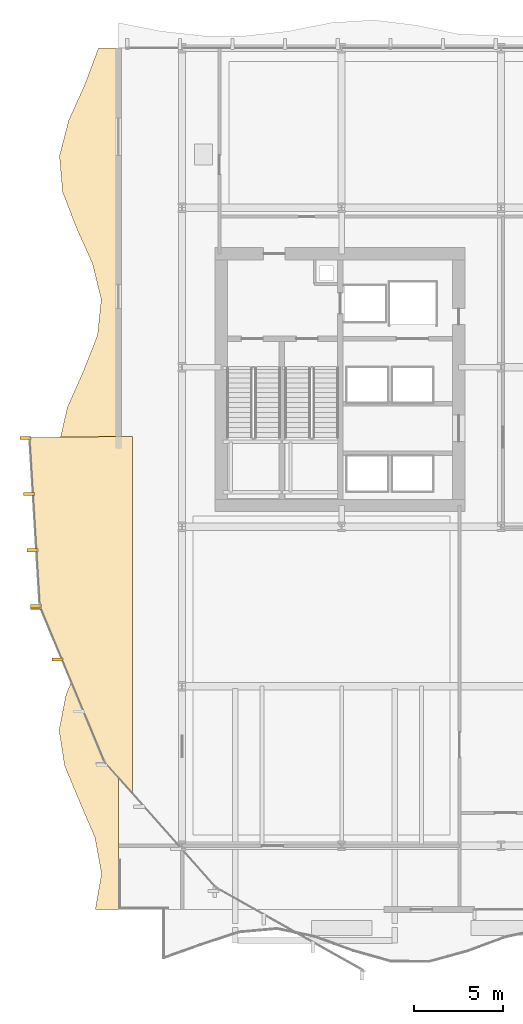
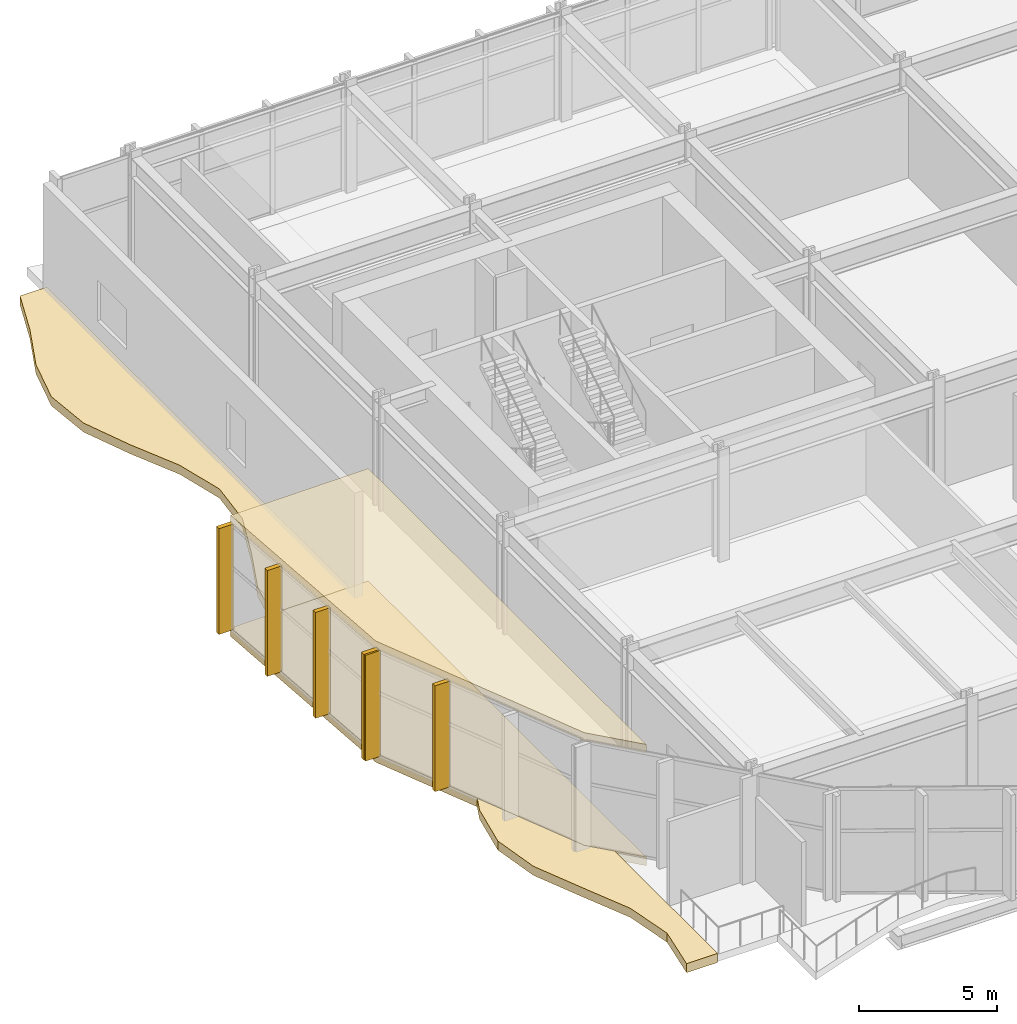
# One storey, part 23 of 28: 9 coverings.
"""IFC4 building model written with IfcOpenShell, lengths in metres."""

import ifcopenshell
import ifcopenshell.guid

model = None  # the IFC model being written
_history = None  # IfcOwnerHistory: only IFC2X3 demands one
_inside = {}  # id of a spatial element -> (the spatial element, [elements in it])
_under = {}  # id of a project, library or spatial element -> (it, [spatial elements below it])
_declared = {}  # id of a project -> (the project, [libraries it declares])
_typed = {}  # id of a type object -> (the type object, [elements of that type])
_made_of = {}  # id of a material, layer set ... -> (it, [elements and type objects made of it])


def new_model(schema):
    """Start an empty IFC model of exactly this schema.

    Asked for "IFC4X3", IfcOpenShell would pick the latest addendum, in which some entities
    have other attributes; the version numbers below select the first issue.
    IFC2X3 requires an IfcOwnerHistory on every rooted entity: one is made here for all.
    """
    global model, _history
    if schema == "IFC4X3":
        model = ifcopenshell.file(schema_version=(4, 3, 0, 0))
    else:
        model = ifcopenshell.file(schema=schema)
    _inside.clear()
    _under.clear()
    _declared.clear()
    _typed.clear()
    _made_of.clear()
    _history = None
    if model.schema == "IFC2X3":
        org = make("IfcOrganization", Name="unknown")
        user = make(
            "IfcPersonAndOrganization",
            ThePerson=make("IfcPerson", FamilyName="unknown"),
            TheOrganization=org,
        )
        app = make(
            "IfcApplication",
            ApplicationDeveloper=org,
            Version="unknown",
            ApplicationFullName="unknown",
            ApplicationIdentifier="unknown",
        )
        _history = make(
            "IfcOwnerHistory",
            OwningUser=user,
            OwningApplication=app,
            ChangeAction="ADDED",
            CreationDate=0,
        )
    return model


def make(cls, **values):
    """One entity of the class cls with the attributes given. An attribute that is None is left unset."""
    return model.create_entity(
        cls, **{name: value for name, value in values.items() if value is not None}
    )


def rooted(cls, **values):
    """An entity with a GlobalId (a new one), such as an element, a storey or a relation."""
    return make(cls, GlobalId=ifcopenshell.guid.new(), OwnerHistory=_history, **values)


def si_unit(unit_type, name, prefix=None):
    """IfcSIUnit, for example si_unit("LENGTHUNIT", "METRE", prefix="MILLI")."""
    return make("IfcSIUnit", UnitType=unit_type, Prefix=prefix, Name=name)


def assignment(units):
    """IfcUnitAssignment: the units of a project."""
    return None if units is None else make("IfcUnitAssignment", Units=units)


def point(xyz):
    """IfcCartesianPoint."""
    return None if xyz is None else make("IfcCartesianPoint", Coordinates=xyz)


def direction(xyz):
    """IfcDirection."""
    return None if xyz is None else make("IfcDirection", DirectionRatios=xyz)


def frame(location, z_axis=None, x_axis=None):
    """IfcAxis2Placement3D, a coordinate frame: its origin and axes. An axis left out is left unset."""
    return make(
        "IfcAxis2Placement3D",
        Location=point(location),
        Axis=direction(z_axis),
        RefDirection=direction(x_axis),
    )


def frame_2d(location, x_axis=None):
    """IfcAxis2Placement2D, a coordinate frame in the plane: its origin and x axis."""
    return make(
        "IfcAxis2Placement2D", Location=point(location), RefDirection=direction(x_axis)
    )


def origin():
    """The frame at (0, 0, 0) with its axes left unset."""
    return frame((0.0, 0.0, 0.0))


def origin_2d():
    """The frame at (0, 0) in the plane with its x axis left unset."""
    return frame_2d((0.0, 0.0))


def place(relative_to, where):
    """IfcLocalPlacement: puts the frame where relative to a parent placement (None: the world)."""
    return make(
        "IfcLocalPlacement", PlacementRelTo=relative_to, RelativePlacement=where
    )


def context(
    kind, dimensions, precision=None, world=None, true_north=None, identifier=None
):
    """IfcGeometricRepresentationContext, for example the 3D "Model" context."""
    return make(
        "IfcGeometricRepresentationContext",
        ContextIdentifier=identifier,
        ContextType=kind,
        CoordinateSpaceDimension=dimensions,
        Precision=precision,
        WorldCoordinateSystem=world,
        TrueNorth=true_north,
    )


def subcontext(parent, identifier, kind, view, scale=None):
    """IfcGeometricRepresentationSubContext, for example "Body" below "Model"."""
    return make(
        "IfcGeometricRepresentationSubContext",
        ContextIdentifier=identifier,
        ContextType=kind,
        ParentContext=parent,
        TargetScale=scale,
        TargetView=view,
    )


def project(units=None, contexts=None):
    """IfcProject with its units and contexts."""
    return rooted(
        "IfcProject",
        Name="project",
        RepresentationContexts=contexts,
        UnitsInContext=assignment(units),
    )


def spatial(cls, under=None, at=None, **own):
    """A site, building, storey or space (cls), placed at a placement, below another one or the project."""
    s = rooted(cls, ObjectPlacement=at, **own)
    if under is not None:
        _under.setdefault(under.id(), (under, []))[1].append(s)
    return s


def polyline(points):
    """IfcPolyline through the points."""
    return make("IfcPolyline", Points=[point(p) for p in points])


def profile(cls, at=None, kind="AREA", **sizes):
    """A parametric profile (cls). Its sizes go by their IFC names, for example OverallWidth=200.0."""
    return make(cls, ProfileType=kind, Position=at, **sizes)


def rectangle(**sizes):
    """IfcRectangleProfileDef."""
    return profile("IfcRectangleProfileDef", **sizes)


def outline(outer, holes=None, kind="AREA"):
    """IfcArbitraryClosedProfileDef: a profile drawn as a closed curve; with holes, ...WithVoids."""
    if holes is None:
        return make("IfcArbitraryClosedProfileDef", ProfileType=kind, OuterCurve=outer)
    return make(
        "IfcArbitraryProfileDefWithVoids",
        ProfileType=kind,
        OuterCurve=outer,
        InnerCurves=holes,
    )


def extrude(swept, where, along, depth):
    """IfcExtrudedAreaSolid: the profile swept, set in the frame where, extruded along a direction by depth."""
    return make(
        "IfcExtrudedAreaSolid",
        SweptArea=swept,
        Position=where,
        ExtrudedDirection=direction(along),
        Depth=depth,
    )


def shape(context_of_items, identifier, shape_type, items):
    """IfcShapeRepresentation: the items that make up one representation, for example the "Body"."""
    return make(
        "IfcShapeRepresentation",
        ContextOfItems=context_of_items,
        RepresentationIdentifier=identifier,
        RepresentationType=shape_type,
        Items=items,
    )


def material(Name=None, Category=None):
    """IfcMaterial."""
    return make("IfcMaterial", Name=Name, Category=Category)


def layer(
    of_material, thickness, ventilated=None, Name=None, Category=None, Priority=None
):
    """IfcMaterialLayer: one layer of a wall or slab, of a material (None: an air gap)."""
    return make(
        "IfcMaterialLayer",
        Material=of_material,
        LayerThickness=thickness,
        IsVentilated=ventilated,
        Name=Name,
        Category=Category,
        Priority=Priority,
    )


def layer_set(layers, Name=None):
    """IfcMaterialLayerSet."""
    return make("IfcMaterialLayerSet", MaterialLayers=layers, LayerSetName=Name)


def made_of(thing, what):
    """Note that an element or type object is made of a material, layer set ...; save() writes the relation."""
    if what is not None:
        _made_of.setdefault(what.id(), (what, []))[1].append(thing)
    return thing


def type_object(cls, material=None, **own):
    """A type object (cls), such as IfcWallType, which elements share."""
    return made_of(rooted(cls, **own), material)


def element(
    cls,
    number,
    at=None,
    inside=None,
    cuts=None,
    type_object=None,
    material=None,
    context=None,
    identifier="Body",
    shape_type=None,
    held_by="IfcProductDefinitionShape",
    body=None,
    shapes=None,
    **own,
):
    """One element of the class cls, such as IfcWall. Its Tag is "e" and its number.

    at: its placement. inside: the storey or other place that contains it. cuts: it is an
    opening in that element (IfcRelVoidsElement). A single representation is given by context,
    identifier, shape_type and body (its items); several are given by shapes. held_by: the class
    of the entity that holds the representations. save() writes the other relations.
    """
    e = rooted(cls, Tag="e%d" % number, ObjectPlacement=at, **own)
    if body is not None:
        shapes = [shape(context, identifier, shape_type, body)]
    if shapes is not None:
        e.Representation = make(held_by, Representations=shapes)
    if inside is not None:
        _inside.setdefault(inside.id(), (inside, []))[1].append(e)
    if cuts is not None:
        rooted(
            "IfcRelVoidsElement", RelatingBuildingElement=cuts, RelatedOpeningElement=e
        )
    if type_object is not None:
        _typed.setdefault(type_object.id(), (type_object, []))[1].append(e)
    return made_of(e, material)


def aggregate(whole, parts):
    """IfcRelAggregates: a whole, such as a stair, and the parts it consists of."""
    return rooted("IfcRelAggregates", RelatingObject=whole, RelatedObjects=parts)


def save(model, path):
    """Write the relations noted so far, then the file.

    IfcRelAggregates (storeys below a building ...), IfcRelContainedInSpatialStructure (elements
    in a storey), IfcRelDefinesByType, IfcRelAssociatesMaterial and IfcRelDeclares: one each for
    every whole, place, type object, material and project.
    """
    for whole, parts in _under.values():
        aggregate(whole, parts)
    for where, things in _inside.values():
        rooted(
            "IfcRelContainedInSpatialStructure",
            RelatedElements=things,
            RelatingStructure=where,
        )
    for kind, things in _typed.values():
        rooted("IfcRelDefinesByType", RelatedObjects=things, RelatingType=kind)
    for what, things in _made_of.values():
        rooted("IfcRelAssociatesMaterial", RelatedObjects=things, RelatingMaterial=what)
    for by, libraries in _declared.values():
        rooted("IfcRelDeclares", RelatingContext=by, RelatedDefinitions=libraries)
    model.write(path)


model = new_model("IFC4")

# Units and contexts
model_context = context("Model", 3, precision=1e-05, world=origin(), true_north=direction((0.0, 1.0)))
body_context = subcontext(model_context, "Body", "Model", "MODEL_VIEW")
ifc_project = project(units=[si_unit("LENGTHUNIT", "METRE"), si_unit("AREAUNIT", "SQUARE_METRE"), si_unit("VOLUMEUNIT", "CUBIC_METRE"), si_unit("PLANEANGLEUNIT", "RADIAN"), si_unit("MASSUNIT", "GRAM", prefix="KILO")], contexts=[model_context])

# Site, building, storey
site_placement = place(None, origin())
site = spatial("IfcSite", under=ifc_project, at=site_placement, CompositionType="ELEMENT")
building_placement = place(site_placement, origin())
building = spatial("IfcBuilding", under=site, at=building_placement, Name="Solvaryn Broadcast Tower", CompositionType="ELEMENT")
storey_placement = place(building_placement, frame((0.0, 0.0, 16.199951171875)))
storey = spatial("IfcBuildingStorey", under=building, at=storey_placement, Name="L03", CompositionType="ELEMENT", Elevation=16.199951171875)

# Coverings
ifc_material_1 = material(Name="Extruded Architectural Terracotta Fin", Category="masonry")
ifc_layer_1 = layer(ifc_material_1, 0.179931640625)
ifc_layer_set_1 = layer_set([ifc_layer_1], Name="CV-TC-FIN")
covering_type_1 = type_object("IfcCoveringType", Name="CV-TC-FIN", PredefinedType="USERDEFINED", material=ifc_layer_set_1)
for number, where, z_axis, x_axis, name in (
    (1, (0.159912109375, 32.014892578125, 0.0), (0.0, 0.0, 1.0), (1.0, 0.0, 0.0), "L03 Terracotta Vertical Fin FIN-POD-L03-DC1-00"),
    (2, (0.35302734375, 28.84619140625, 0.0), (0.0, 0.0, 1.0), (1.0, 0.0, 0.0), "L03 Terracotta Vertical Fin FIN-POD-L03-DC1-01"),
    (3, (0.5458984375, 25.677734375, 0.0), (0.0, 0.0, 1.0), (1.0, 0.0, 0.0), "L03 Terracotta Vertical Fin FIN-POD-L03-DC1-02"),
    (4, (0.739013671875, 22.509033203125, 0.0), (0.0, 0.0, 1.0), (1.0, 0.0, 0.0), "L03 Terracotta Vertical Fin FIN-POD-L03-DC1-03"),
    (5, (0.757080078125, 22.431884765625, 0.0), (0.0, 0.0, 1.0), (1.0, 0.0, 0.0), "L03 Terracotta Vertical Fin FIN-POD-L03-DC2-00"),
    (6, (1.97412109375, 19.500244140625, 0.0), (0.0, 0.0, 1.0), (1.0, 0.0, 0.0), "L03 Terracotta Vertical Fin FIN-POD-L03-DC2-01"),
):
    element("IfcCovering", number, at=place(storey_placement, frame(where, z_axis=z_axis, x_axis=x_axis)), inside=storey, type_object=covering_type_1, Name=name, ObjectType="FIN", PredefinedType="USERDEFINED", context=body_context, shape_type="SweptSolid", body=[
        extrude(rectangle(XDim=0.6201171875, YDim=0.179931640625, at=origin_2d()), origin(), (0.0, 0.0, 1.0), 4.679931640625),
    ])
ifc_material_2 = material(Name="Sculpted Architectural Terracotta Wave Fascia", Category="masonry")
ifc_layer_2 = layer(ifc_material_2, 0.340087890625)
ifc_layer_set_2 = layer_set([ifc_layer_2], Name="CV-WAVE-TRAY")
covering_type_2 = type_object("IfcCoveringType", Name="CV-WAVE-TRAY", PredefinedType="CLADDING", material=ifc_layer_set_2)
for number, where, name in (
    (7, (0.0, 0.0, -0.33984375), "L03 Curved Studio Drum Deck Apron"),
    (8, (0.0, 0.0, 4.64013671875), "L03 Curved Studio Drum Ceiling Soffit"),
):
    element("IfcCovering", number, at=place(storey_placement, frame(where)), inside=storey, type_object=covering_type_2, Name=name, PredefinedType="CLADDING", context=body_context, shape_type="SweptSolid", body=[
        extrude(outline(polyline([(6.199951171875, 32.10009765625), (0.39990234375, 32.030029296875), (0.97900390625, 22.52392578125), (4.6298828125, 13.72900390625), (10.952880859375, 6.60693359375), (19.25390625, 1.94189453125), (21.10009765625, 6.199951171875), (6.199951171875, 6.199951171875), (6.199951171875, 32.10009765625)])), origin(), (0.0, 0.0, 1.0), 0.3798828125),
    ])
covering_placement = place(storey_placement, frame((0.0, 0.0, -0.35986328125)))
element("IfcCovering", 9, at=covering_placement, inside=storey, type_object=covering_type_2, Name="L03 Spreading Wave Tray Apron W", PredefinedType="CLADDING", context=body_context, shape_type="SweptSolid", body=[
    extrude(outline(polyline([(5.39990234375, 5.39990234375), (5.39990234375, 7.425048828125), (5.39990234375, 9.449951171875), (5.39990234375, 11.47509765625), (5.39990234375, 13.5), (5.39990234375, 15.52490234375), (5.39990234375, 17.550048828125), (5.39990234375, 19.574951171875), (5.39990234375, 21.60009765625), (5.39990234375, 23.625), (5.39990234375, 25.64990234375), (5.39990234375, 27.675048828125), (5.39990234375, 29.699951171875), (5.39990234375, 31.72509765625), (5.39990234375, 33.75), (5.39990234375, 35.77490234375), (5.39990234375, 37.800048828125), (5.39990234375, 39.824951171875), (5.39990234375, 41.85009765625), (5.39990234375, 43.875), (5.39990234375, 45.89990234375), (5.39990234375, 47.925048828125), (5.39990234375, 49.949951171875), (5.39990234375, 51.97509765625), (5.39990234375, 54.0), (4.27294921875, 54.0), (3.51904296875, 51.97509765625), (2.60302734375, 49.949951171875), (2.074951171875, 47.925048828125), (2.251953125, 45.89990234375), (3.027099609375, 43.875), (3.93603515625, 41.85009765625), (4.43310546875, 39.824951171875), (4.220947265625, 37.800048828125), (3.426025390625, 35.77490234375), (2.52587890625, 33.75), (2.06005859375, 31.72509765625), (2.30810546875, 29.699951171875), (3.12109375, 27.675048828125), (4.010986328125, 25.64990234375), (4.445068359375, 23.625), (4.162109375, 21.60009765625), (3.33203125, 19.574951171875), (2.452880859375, 17.550048828125), (2.051025390625, 15.52490234375), (2.368896484375, 13.5), (3.215087890625, 11.47509765625), (4.08203125, 9.449951171875), (4.449951171875, 7.425048828125), (4.09912109375, 5.39990234375), (5.39990234375, 5.39990234375)])), origin(), (0.0, 0.0, 1.0), 0.39990234375),
])

save(model, "model.ifc")
